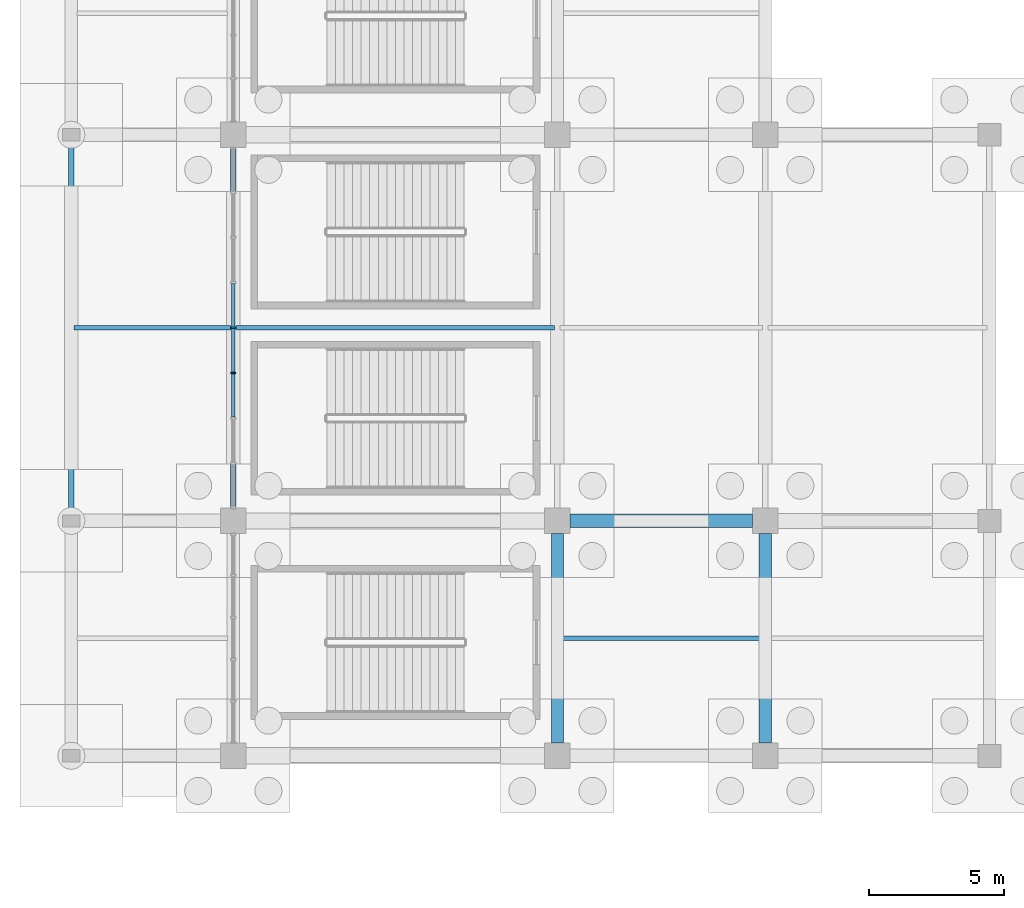
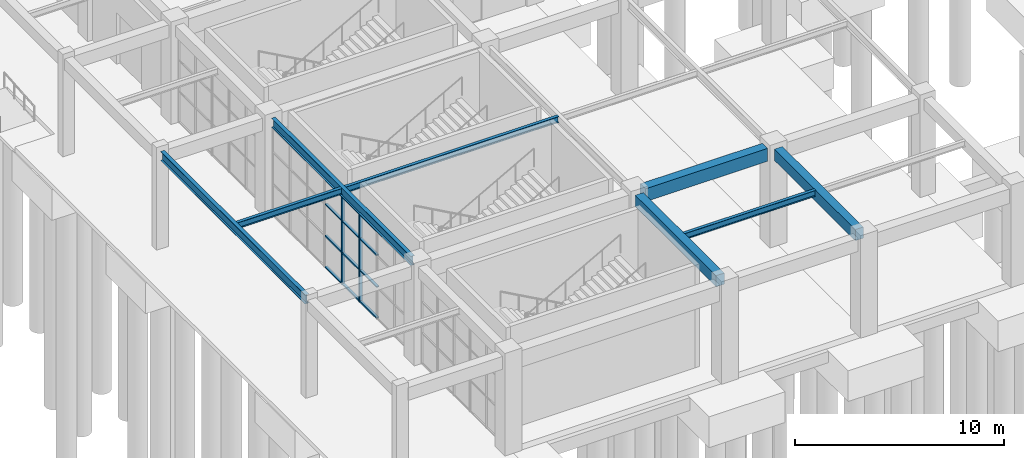
# One storey, part 22 of 121: 14 members, 8 beams, 1 element without a shape of its own.
"""IFC4 building model written with IfcOpenShell, lengths in metres."""

from ifc_helpers import new_model, si_unit, direction, frame, origin, origin_2d, place, context, subcontext, project, spatial, rectangle, i_section, extrude, material, material_profile, profile_set, type_object, element, aggregate, save


model = new_model("IFC4")

# Units and contexts
model_context = context("Model", 3, precision=1e-05, world=origin(), true_north=direction((0.0, 1.0)))
body_context = subcontext(model_context, "Body", "Model", "MODEL_VIEW")
ifc_project = project(units=[si_unit("LENGTHUNIT", "METRE"), si_unit("AREAUNIT", "SQUARE_METRE"), si_unit("VOLUMEUNIT", "CUBIC_METRE"), si_unit("PLANEANGLEUNIT", "RADIAN"), si_unit("MASSUNIT", "GRAM", prefix="KILO")], contexts=[model_context])

# Site, building, storey
site_placement = place(None, origin())
site = spatial("IfcSite", under=ifc_project, at=site_placement, CompositionType="ELEMENT")
building_placement = place(site_placement, origin())
building = spatial("IfcBuilding", under=site, at=building_placement, Name="Cuetzalor Civic Arena", CompositionType="ELEMENT")
storey_placement = place(building_placement, origin())
storey = spatial("IfcBuildingStorey", under=building, at=storey_placement, Name="L00", CompositionType="ELEMENT", Elevation=0.0)

# Beams
ifc_material_1 = material(Name="Concrete C40/50", Category="concrete")
ifc_material_profile_1 = material_profile(ifc_material_1, rectangle(XDim=0.5, YDim=0.75, at=origin_2d()), Name="RC 500x750")
ifc_profile_set_1 = profile_set([ifc_material_profile_1], Name="Concrete C40/50")
beam_type_1 = type_object("IfcBeamType", Name="ConcreteFrameBeam_500x750", PredefinedType="BEAM", material=ifc_profile_set_1)
beam_1_placement = place(storey_placement, frame((-63.534912109375, -48.300048828125, 5.324951171875), z_axis=(1.0, 0.0, 0.0), x_axis=(0.0, 1.0, 0.0)))
element("IfcBeam", 1, at=beam_1_placement, inside=storey, type_object=beam_type_1, Name="Frame Girder V4W-L00-X0063", PredefinedType="BEAM", context=body_context, shape_type="SweptSolid", body=[
    extrude(rectangle(XDim=0.5, YDim=0.75, at=origin_2d()), origin(), (0.0, 0.0, 1.0), 6.77001953125),
])
ifc_material_2 = material(Name="Concrete C40/50", Category="concrete")
ifc_material_profile_2 = material_profile(ifc_material_2, rectangle(XDim=0.449951171875, YDim=0.64990234375, at=origin_2d()), Name="RC 450x650")
ifc_profile_set_2 = profile_set([ifc_material_profile_2], Name="Concrete C40/50")
beam_type_2 = type_object("IfcBeamType", Name="ConcreteTieBeam_450x650", PredefinedType="BEAM", material=ifc_profile_set_2)
for number, where, z_axis, x_axis, name in (
    (2, (-64.0, -56.534912109375, 5.375), (0.0, 1.0, 0.0), (-1.0, 0.0, 0.0), "Frame Girder V4W-L00-Y0113"),
    (3, (-56.300048828125, -56.534912109375, 5.375), (0.0, 1.0, 0.0), (-1.0, 0.0, 0.0), "Frame Girder V4W-L00-Y0123"),
):
    element("IfcBeam", number, at=place(storey_placement, frame(where, z_axis=z_axis, x_axis=x_axis)), inside=storey, type_object=beam_type_2, Name=name, PredefinedType="BEAM", context=body_context, shape_type="SweptSolid", body=[
        extrude(rectangle(XDim=0.449951171875, YDim=0.64990234375, at=origin_2d()), origin(), (0.0, 0.0, 1.0), 7.77001953125),
    ])

# Curtain wall, members
ifc_material_3 = material(Name="Anodised dark bronze aluminium and low-E solar glass", Category="aluminium")
curtain_wall_type = type_object("IfcCurtainWallType", Name="UnitisedCW_13400x5150", PredefinedType="USERDEFINED", material=ifc_material_3)
curtain_wall_placement = place(storey_placement, origin())
curtain_wall = element("IfcCurtainWall", 4, at=curtain_wall_placement, inside=storey, type_object=curtain_wall_type, Name="V4W Colonnade Curtain Wall L00-104", ObjectType="UNITISED CURTAIN WALL", PredefinedType="USERDEFINED")
ifc_material_4 = material(Name="Anodised dark bronze aluminium", Category="aluminium")
ifc_material_profile_3 = material_profile(ifc_material_4, rectangle(XDim=0.070068359375, YDim=0.179931640625, at=origin_2d()), Name="ALU MULLION 70x180")
ifc_profile_set_3 = profile_set([ifc_material_profile_3], Name="Anodised dark bronze aluminium")
member_type_1 = type_object("IfcMemberType", Name="CurtainWallMullion_65x180", PredefinedType="MULLION", material=ifc_profile_set_3)
member_1_placement = place(storey_placement, frame((-76.0, -42.8232421875, 0.0), z_axis=(0.0, 0.0, 1.0), x_axis=(0.0, 1.0, 0.0)))
member_1 = element("IfcMember", 5, at=member_1_placement, type_object=member_type_1, Name="CW-32 mullion 4", PredefinedType="MULLION", context=body_context, shape_type="SweptSolid", body=[
    extrude(rectangle(XDim=0.070068359375, YDim=0.179931640625, at=origin_2d()), origin(), (0.0, 0.0, 1.0), 5.156982421875),
])
member_2_placement = place(storey_placement, frame((-76.0, -41.14990234375, 0.0), z_axis=(0.0, 0.0, 1.0), x_axis=(0.0, 1.0, 0.0)))
member_2 = element("IfcMember", 6, at=member_2_placement, type_object=member_type_1, Name="CW-32 mullion 5", PredefinedType="MULLION", context=body_context, shape_type="SweptSolid", body=[
    extrude(rectangle(XDim=0.070068359375, YDim=0.179931640625, at=origin_2d()), origin(), (0.0, 0.0, 1.0), 5.156982421875),
])
ifc_material_5 = material(Name="Anodised dark bronze aluminium", Category="aluminium")
ifc_material_profile_4 = material_profile(ifc_material_5, rectangle(XDim=0.139892578125, YDim=0.070068359375, at=origin_2d()), Name="ALU TRANSOM 70x140")
ifc_profile_set_4 = profile_set([ifc_material_profile_4], Name="Anodised dark bronze aluminium")
member_type_2 = type_object("IfcMemberType", Name="CurtainWallTransom_65x140", PredefinedType="USERDEFINED", material=ifc_profile_set_4)
member_3_placement = place(storey_placement, frame((-76.0, -44.46142578125, 0.034912109375), z_axis=(0.0, 1.0, 0.0), x_axis=(-1.0, 0.0, 0.0)))
member_3 = element("IfcMember", 7, at=member_3_placement, type_object=member_type_2, Name="CW-32 transom 3.1", ObjectType="TRANSOM", PredefinedType="USERDEFINED", context=body_context, shape_type="SweptSolid", body=[
    extrude(rectangle(XDim=0.139892578125, YDim=0.070068359375, at=origin_2d()), origin(), (0.0, 0.0, 1.0), 1.603271484375),
])
member_4_placement = place(storey_placement, frame((-76.0, -44.46142578125, 1.85693359375), z_axis=(0.0, 1.0, 0.0), x_axis=(-1.0, 0.0, 0.0)))
member_4 = element("IfcMember", 8, at=member_4_placement, type_object=member_type_2, Name="CW-32 transom 3.2", ObjectType="TRANSOM", PredefinedType="USERDEFINED", context=body_context, shape_type="SweptSolid", body=[
    extrude(rectangle(XDim=0.139892578125, YDim=0.070068359375, at=origin_2d()), origin(), (0.0, 0.0, 1.0), 1.603271484375),
])
member_5_placement = place(storey_placement, frame((-76.0, -44.46142578125, 3.712890625), z_axis=(0.0, 1.0, 0.0), x_axis=(-1.0, 0.0, 0.0)))
member_5 = element("IfcMember", 9, at=member_5_placement, type_object=member_type_2, Name="CW-32 transom 3.3", ObjectType="TRANSOM", PredefinedType="USERDEFINED", context=body_context, shape_type="SweptSolid", body=[
    extrude(rectangle(XDim=0.139892578125, YDim=0.070068359375, at=origin_2d()), origin(), (0.0, 0.0, 1.0), 1.603271484375),
])
member_6_placement = place(storey_placement, frame((-76.0, -44.46142578125, 5.1220703125), z_axis=(0.0, 1.0, 0.0), x_axis=(-1.0, 0.0, 0.0)))
member_6 = element("IfcMember", 10, at=member_6_placement, type_object=member_type_2, Name="CW-32 transom 3.4", ObjectType="TRANSOM", PredefinedType="USERDEFINED", context=body_context, shape_type="SweptSolid", body=[
    extrude(rectangle(XDim=0.139892578125, YDim=0.070068359375, at=origin_2d()), origin(), (0.0, 0.0, 1.0), 1.603271484375),
])
member_7_placement = place(storey_placement, frame((-76.0, -42.788330078125, 0.034912109375), z_axis=(0.0, 1.0, 0.0), x_axis=(-1.0, 0.0, 0.0)))
member_7 = element("IfcMember", 11, at=member_7_placement, type_object=member_type_2, Name="CW-32 transom 4.1", ObjectType="TRANSOM", PredefinedType="USERDEFINED", context=body_context, shape_type="SweptSolid", body=[
    extrude(rectangle(XDim=0.139892578125, YDim=0.070068359375, at=origin_2d()), origin(), (0.0, 0.0, 1.0), 1.603271484375),
])
member_8_placement = place(storey_placement, frame((-76.0, -42.788330078125, 1.85693359375), z_axis=(0.0, 1.0, 0.0), x_axis=(-1.0, 0.0, 0.0)))
member_8 = element("IfcMember", 12, at=member_8_placement, type_object=member_type_2, Name="CW-32 transom 4.2", ObjectType="TRANSOM", PredefinedType="USERDEFINED", context=body_context, shape_type="SweptSolid", body=[
    extrude(rectangle(XDim=0.139892578125, YDim=0.070068359375, at=origin_2d()), origin(), (0.0, 0.0, 1.0), 1.603271484375),
])
member_9_placement = place(storey_placement, frame((-76.0, -42.788330078125, 3.712890625), z_axis=(0.0, 1.0, 0.0), x_axis=(-1.0, 0.0, 0.0)))
member_9 = element("IfcMember", 13, at=member_9_placement, type_object=member_type_2, Name="CW-32 transom 4.3", ObjectType="TRANSOM", PredefinedType="USERDEFINED", context=body_context, shape_type="SweptSolid", body=[
    extrude(rectangle(XDim=0.139892578125, YDim=0.070068359375, at=origin_2d()), origin(), (0.0, 0.0, 1.0), 1.603271484375),
])
member_10_placement = place(storey_placement, frame((-76.0, -42.788330078125, 5.1220703125), z_axis=(0.0, 1.0, 0.0), x_axis=(-1.0, 0.0, 0.0)))
member_10 = element("IfcMember", 14, at=member_10_placement, type_object=member_type_2, Name="CW-32 transom 4.4", ObjectType="TRANSOM", PredefinedType="USERDEFINED", context=body_context, shape_type="SweptSolid", body=[
    extrude(rectangle(XDim=0.139892578125, YDim=0.070068359375, at=origin_2d()), origin(), (0.0, 0.0, 1.0), 1.603271484375),
])
member_11_placement = place(storey_placement, frame((-76.0, -41.114990234375, 0.034912109375), z_axis=(0.0, 1.0, 0.0), x_axis=(-1.0, 0.0, 0.0)))
member_11 = element("IfcMember", 15, at=member_11_placement, type_object=member_type_2, Name="CW-32 transom 5.1", ObjectType="TRANSOM", PredefinedType="USERDEFINED", context=body_context, shape_type="SweptSolid", body=[
    extrude(rectangle(XDim=0.139892578125, YDim=0.070068359375, at=origin_2d()), origin(), (0.0, 0.0, 1.0), 1.603271484375),
])
member_12_placement = place(storey_placement, frame((-76.0, -41.114990234375, 1.85693359375), z_axis=(0.0, 1.0, 0.0), x_axis=(-1.0, 0.0, 0.0)))
member_12 = element("IfcMember", 16, at=member_12_placement, type_object=member_type_2, Name="CW-32 transom 5.2", ObjectType="TRANSOM", PredefinedType="USERDEFINED", context=body_context, shape_type="SweptSolid", body=[
    extrude(rectangle(XDim=0.139892578125, YDim=0.070068359375, at=origin_2d()), origin(), (0.0, 0.0, 1.0), 1.603271484375),
])
member_13_placement = place(storey_placement, frame((-76.0, -41.114990234375, 3.712890625), z_axis=(0.0, 1.0, 0.0), x_axis=(-1.0, 0.0, 0.0)))
member_13 = element("IfcMember", 17, at=member_13_placement, type_object=member_type_2, Name="CW-32 transom 5.3", ObjectType="TRANSOM", PredefinedType="USERDEFINED", context=body_context, shape_type="SweptSolid", body=[
    extrude(rectangle(XDim=0.139892578125, YDim=0.070068359375, at=origin_2d()), origin(), (0.0, 0.0, 1.0), 1.603271484375),
])
member_14_placement = place(storey_placement, frame((-76.0, -41.114990234375, 5.1220703125), z_axis=(0.0, 1.0, 0.0), x_axis=(-1.0, 0.0, 0.0)))
member_14 = element("IfcMember", 18, at=member_14_placement, type_object=member_type_2, Name="CW-32 transom 5.4", ObjectType="TRANSOM", PredefinedType="USERDEFINED", context=body_context, shape_type="SweptSolid", body=[
    extrude(rectangle(XDim=0.139892578125, YDim=0.070068359375, at=origin_2d()), origin(), (0.0, 0.0, 1.0), 1.603271484375),
])
aggregate(curtain_wall, [member_1, member_2, member_3, member_4, member_5, member_6, member_7, member_8, member_9, member_10, member_11, member_12, member_13, member_14])

# Beams
ifc_material_6 = material(Name="Steel S355", Category="steel")
ifc_material_profile_5 = material_profile(ifc_material_6, i_section(OverallWidth=0.1708984375, OverallDepth=0.35498046875, WebThickness=0.007080078125, FlangeThickness=0.01171875, at=origin_2d()), Name="W360x51")
ifc_profile_set_5 = profile_set([ifc_material_profile_5], Name="Steel S355")
beam_type_3 = type_object("IfcBeamType", Name="SecondaryFloorJoist_W360", PredefinedType="JOIST", material=ifc_profile_set_5)
beam_2_placement = place(storey_placement, frame((-81.903564453125, -41.14990234375, 5.5224609375), z_axis=(1.0, 0.0, 0.0), x_axis=(0.0, 1.0, 0.0)))
element("IfcBeam", 19, at=beam_2_placement, inside=storey, type_object=beam_type_3, Name="Secondary Floor Joist V4W-L00-0016", PredefinedType="JOIST", context=body_context, shape_type="SweptSolid", body=[
    extrude(i_section(OverallWidth=0.1708984375, OverallDepth=0.35498046875, WebThickness=0.007080078125, FlangeThickness=0.01171875, at=origin_2d()), origin(), (0.0, 0.0, 1.0), 5.80712890625),
])
beam_3_placement = place(storey_placement, frame((-75.903564453125, -41.14990234375, 5.5224609375), z_axis=(1.0, 0.0, 0.0), x_axis=(0.0, 1.0, 0.0)))
element("IfcBeam", 20, at=beam_3_placement, inside=storey, type_object=beam_type_3, Name="Secondary Floor Joist V4W-L00-0025", PredefinedType="JOIST", context=body_context, shape_type="SweptSolid", body=[
    extrude(i_section(OverallWidth=0.1708984375, OverallDepth=0.35498046875, WebThickness=0.007080078125, FlangeThickness=0.01171875, at=origin_2d()), origin(), (0.0, 0.0, 1.0), 11.80712890625),
])
beam_4_placement = place(storey_placement, frame((-63.782958984375, -52.64990234375, 5.5224609375), z_axis=(1.0, 0.0, 0.0), x_axis=(0.0, 1.0, 0.0)))
element("IfcBeam", 21, at=beam_4_placement, inside=storey, type_object=beam_type_3, Name="Secondary Floor Joist V4W-L00-0032", PredefinedType="JOIST", context=body_context, shape_type="SweptSolid", body=[
    extrude(i_section(OverallWidth=0.1708984375, OverallDepth=0.35498046875, WebThickness=0.007080078125, FlangeThickness=0.01171875, at=origin_2d()), origin(), (0.0, 0.0, 1.0), 7.265869140625),
])
ifc_material_7 = material(Name="Steel S355", Category="steel")
ifc_material_profile_6 = material_profile(ifc_material_7, i_section(OverallWidth=0.208984375, OverallDepth=0.532958984375, WebThickness=0.01025390625, FlangeThickness=0.015625, at=origin_2d()), Name="W530x92")
ifc_profile_set_6 = profile_set([ifc_material_profile_6], Name="Steel S355")
beam_type_4 = type_object("IfcBeamType", Name="SteelCollarGirder_W530", PredefinedType="BEAM", material=ifc_profile_set_6)
beam_5_placement = place(storey_placement, frame((-82.0, -48.0849609375, 5.43359375), z_axis=(0.0, 1.0, 0.0), x_axis=(-1.0, 0.0, 0.0)))
element("IfcBeam", 22, at=beam_5_placement, inside=storey, type_object=beam_type_4, Name="Frame Girder V4W-L00-Y0094", PredefinedType="BEAM", context=body_context, shape_type="SweptSolid", body=[
    extrude(i_section(OverallWidth=0.208984375, OverallDepth=0.532958984375, WebThickness=0.01025390625, FlangeThickness=0.015625, at=origin_2d()), origin(), (0.0, 0.0, 1.0), 13.869873046875),
])
beam_6_placement = place(storey_placement, frame((-76.0, -47.8349609375, 5.43359375), z_axis=(0.0, 1.0, 0.0), x_axis=(-1.0, 0.0, 0.0)))
element("IfcBeam", 23, at=beam_6_placement, inside=storey, type_object=beam_type_4, Name="Frame Girder V4W-L00-Y0104", PredefinedType="BEAM", context=body_context, shape_type="SweptSolid", body=[
    extrude(i_section(OverallWidth=0.208984375, OverallDepth=0.532958984375, WebThickness=0.01025390625, FlangeThickness=0.015625, at=origin_2d()), origin(), (0.0, 0.0, 1.0), 13.369873046875),
])

save(model, "model.ifc")
